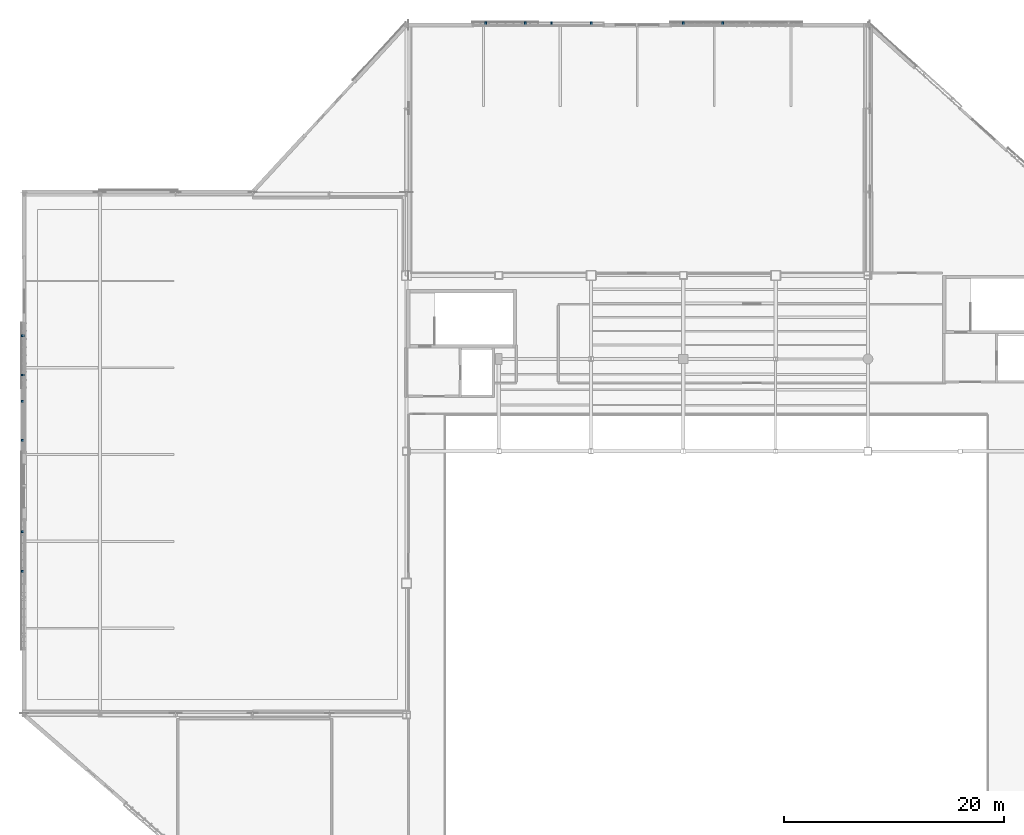
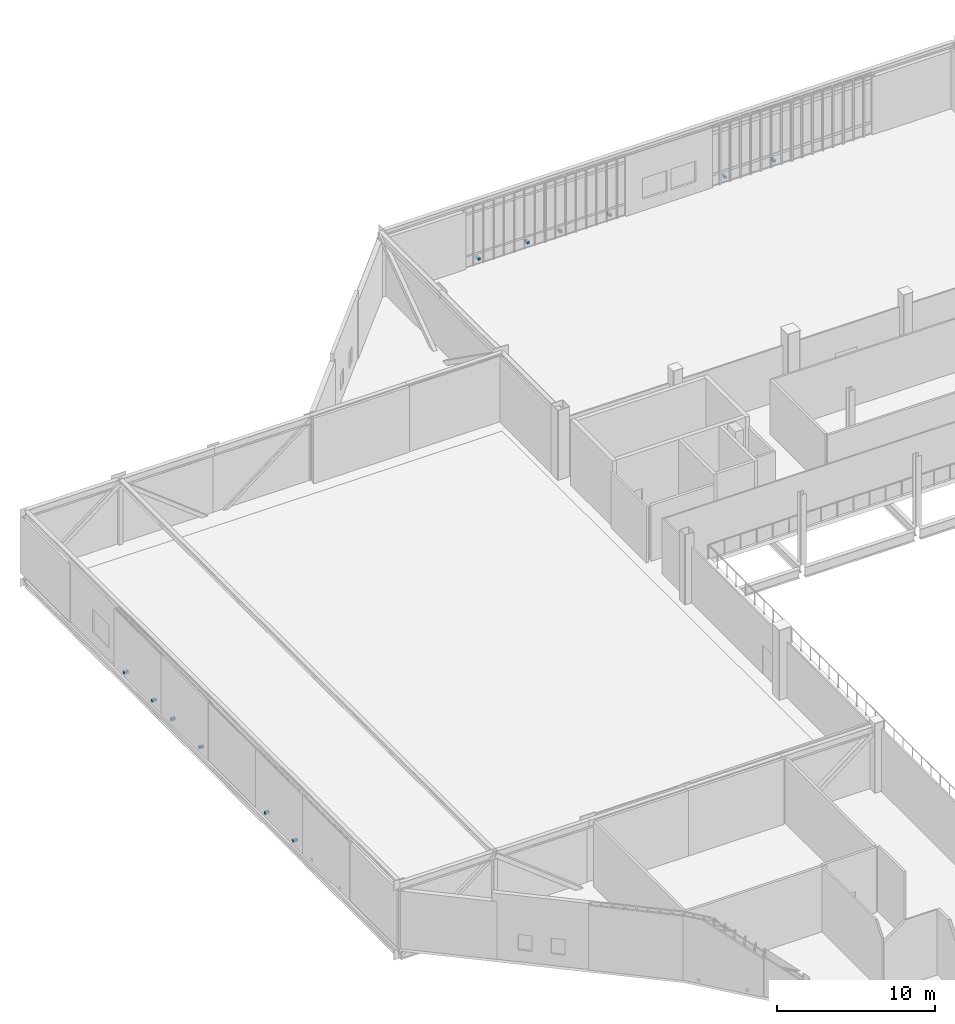
# One storey, part 125 of 135: 12 discrete accessories.
"""IFC4 building model written with IfcOpenShell, lengths in metres."""

import ifcopenshell
import ifcopenshell.guid

model = None  # the IFC model being written
_history = None  # IfcOwnerHistory: only IFC2X3 demands one
_inside = {}  # id of a spatial element -> (the spatial element, [elements in it])
_under = {}  # id of a project, library or spatial element -> (it, [spatial elements below it])
_declared = {}  # id of a project -> (the project, [libraries it declares])
_typed = {}  # id of a type object -> (the type object, [elements of that type])
_made_of = {}  # id of a material, layer set ... -> (it, [elements and type objects made of it])


def new_model(schema):
    """Start an empty IFC model of exactly this schema.

    Asked for "IFC4X3", IfcOpenShell would pick the latest addendum, in which some entities
    have other attributes; the version numbers below select the first issue.
    IFC2X3 requires an IfcOwnerHistory on every rooted entity: one is made here for all.
    """
    global model, _history
    if schema == "IFC4X3":
        model = ifcopenshell.file(schema_version=(4, 3, 0, 0))
    else:
        model = ifcopenshell.file(schema=schema)
    _inside.clear()
    _under.clear()
    _declared.clear()
    _typed.clear()
    _made_of.clear()
    _history = None
    if model.schema == "IFC2X3":
        org = make("IfcOrganization", Name="unknown")
        user = make(
            "IfcPersonAndOrganization",
            ThePerson=make("IfcPerson", FamilyName="unknown"),
            TheOrganization=org,
        )
        app = make(
            "IfcApplication",
            ApplicationDeveloper=org,
            Version="unknown",
            ApplicationFullName="unknown",
            ApplicationIdentifier="unknown",
        )
        _history = make(
            "IfcOwnerHistory",
            OwningUser=user,
            OwningApplication=app,
            ChangeAction="ADDED",
            CreationDate=0,
        )
    return model


def make(cls, **values):
    """One entity of the class cls with the attributes given. An attribute that is None is left unset."""
    return model.create_entity(
        cls, **{name: value for name, value in values.items() if value is not None}
    )


def rooted(cls, **values):
    """An entity with a GlobalId (a new one), such as an element, a storey or a relation."""
    return make(cls, GlobalId=ifcopenshell.guid.new(), OwnerHistory=_history, **values)


def si_unit(unit_type, name, prefix=None):
    """IfcSIUnit, for example si_unit("LENGTHUNIT", "METRE", prefix="MILLI")."""
    return make("IfcSIUnit", UnitType=unit_type, Prefix=prefix, Name=name)


def assignment(units):
    """IfcUnitAssignment: the units of a project."""
    return None if units is None else make("IfcUnitAssignment", Units=units)


def point(xyz):
    """IfcCartesianPoint."""
    return None if xyz is None else make("IfcCartesianPoint", Coordinates=xyz)


def direction(xyz):
    """IfcDirection."""
    return None if xyz is None else make("IfcDirection", DirectionRatios=xyz)


def frame(location, z_axis=None, x_axis=None):
    """IfcAxis2Placement3D, a coordinate frame: its origin and axes. An axis left out is left unset."""
    return make(
        "IfcAxis2Placement3D",
        Location=point(location),
        Axis=direction(z_axis),
        RefDirection=direction(x_axis),
    )


def frame_2d(location, x_axis=None):
    """IfcAxis2Placement2D, a coordinate frame in the plane: its origin and x axis."""
    return make(
        "IfcAxis2Placement2D", Location=point(location), RefDirection=direction(x_axis)
    )


def origin():
    """The frame at (0, 0, 0) with its axes left unset."""
    return frame((0.0, 0.0, 0.0))


def origin_2d():
    """The frame at (0, 0) in the plane with its x axis left unset."""
    return frame_2d((0.0, 0.0))


def place(relative_to, where):
    """IfcLocalPlacement: puts the frame where relative to a parent placement (None: the world)."""
    return make(
        "IfcLocalPlacement", PlacementRelTo=relative_to, RelativePlacement=where
    )


def context(
    kind, dimensions, precision=None, world=None, true_north=None, identifier=None
):
    """IfcGeometricRepresentationContext, for example the 3D "Model" context."""
    return make(
        "IfcGeometricRepresentationContext",
        ContextIdentifier=identifier,
        ContextType=kind,
        CoordinateSpaceDimension=dimensions,
        Precision=precision,
        WorldCoordinateSystem=world,
        TrueNorth=true_north,
    )


def subcontext(parent, identifier, kind, view, scale=None):
    """IfcGeometricRepresentationSubContext, for example "Body" below "Model"."""
    return make(
        "IfcGeometricRepresentationSubContext",
        ContextIdentifier=identifier,
        ContextType=kind,
        ParentContext=parent,
        TargetScale=scale,
        TargetView=view,
    )


def project(units=None, contexts=None):
    """IfcProject with its units and contexts."""
    return rooted(
        "IfcProject",
        Name="project",
        RepresentationContexts=contexts,
        UnitsInContext=assignment(units),
    )


def spatial(cls, under=None, at=None, **own):
    """A site, building, storey or space (cls), placed at a placement, below another one or the project."""
    s = rooted(cls, ObjectPlacement=at, **own)
    if under is not None:
        _under.setdefault(under.id(), (under, []))[1].append(s)
    return s


def profile(cls, at=None, kind="AREA", **sizes):
    """A parametric profile (cls). Its sizes go by their IFC names, for example OverallWidth=200.0."""
    return make(cls, ProfileType=kind, Position=at, **sizes)


def rectangle(**sizes):
    """IfcRectangleProfileDef."""
    return profile("IfcRectangleProfileDef", **sizes)


def extrude(swept, where, along, depth):
    """IfcExtrudedAreaSolid: the profile swept, set in the frame where, extruded along a direction by depth."""
    return make(
        "IfcExtrudedAreaSolid",
        SweptArea=swept,
        Position=where,
        ExtrudedDirection=direction(along),
        Depth=depth,
    )


def shape(context_of_items, identifier, shape_type, items):
    """IfcShapeRepresentation: the items that make up one representation, for example the "Body"."""
    return make(
        "IfcShapeRepresentation",
        ContextOfItems=context_of_items,
        RepresentationIdentifier=identifier,
        RepresentationType=shape_type,
        Items=items,
    )


def material(Name=None, Category=None):
    """IfcMaterial."""
    return make("IfcMaterial", Name=Name, Category=Category)


def layer(
    of_material, thickness, ventilated=None, Name=None, Category=None, Priority=None
):
    """IfcMaterialLayer: one layer of a wall or slab, of a material (None: an air gap)."""
    return make(
        "IfcMaterialLayer",
        Material=of_material,
        LayerThickness=thickness,
        IsVentilated=ventilated,
        Name=Name,
        Category=Category,
        Priority=Priority,
    )


def layer_set(layers, Name=None):
    """IfcMaterialLayerSet."""
    return make("IfcMaterialLayerSet", MaterialLayers=layers, LayerSetName=Name)


def made_of(thing, what):
    """Note that an element or type object is made of a material, layer set ...; save() writes the relation."""
    if what is not None:
        _made_of.setdefault(what.id(), (what, []))[1].append(thing)
    return thing


def type_object(cls, material=None, **own):
    """A type object (cls), such as IfcWallType, which elements share."""
    return made_of(rooted(cls, **own), material)


def element(
    cls,
    number,
    at=None,
    inside=None,
    cuts=None,
    type_object=None,
    material=None,
    context=None,
    identifier="Body",
    shape_type=None,
    held_by="IfcProductDefinitionShape",
    body=None,
    shapes=None,
    **own,
):
    """One element of the class cls, such as IfcWall. Its Tag is "e" and its number.

    at: its placement. inside: the storey or other place that contains it. cuts: it is an
    opening in that element (IfcRelVoidsElement). A single representation is given by context,
    identifier, shape_type and body (its items); several are given by shapes. held_by: the class
    of the entity that holds the representations. save() writes the other relations.
    """
    e = rooted(cls, Tag="e%d" % number, ObjectPlacement=at, **own)
    if body is not None:
        shapes = [shape(context, identifier, shape_type, body)]
    if shapes is not None:
        e.Representation = make(held_by, Representations=shapes)
    if inside is not None:
        _inside.setdefault(inside.id(), (inside, []))[1].append(e)
    if cuts is not None:
        rooted(
            "IfcRelVoidsElement", RelatingBuildingElement=cuts, RelatedOpeningElement=e
        )
    if type_object is not None:
        _typed.setdefault(type_object.id(), (type_object, []))[1].append(e)
    return made_of(e, material)


def aggregate(whole, parts):
    """IfcRelAggregates: a whole, such as a stair, and the parts it consists of."""
    return rooted("IfcRelAggregates", RelatingObject=whole, RelatedObjects=parts)


def save(model, path):
    """Write the relations noted so far, then the file.

    IfcRelAggregates (storeys below a building ...), IfcRelContainedInSpatialStructure (elements
    in a storey), IfcRelDefinesByType, IfcRelAssociatesMaterial and IfcRelDeclares: one each for
    every whole, place, type object, material and project.
    """
    for whole, parts in _under.values():
        aggregate(whole, parts)
    for where, things in _inside.values():
        rooted(
            "IfcRelContainedInSpatialStructure",
            RelatedElements=things,
            RelatingStructure=where,
        )
    for kind, things in _typed.values():
        rooted("IfcRelDefinesByType", RelatedObjects=things, RelatingType=kind)
    for what, things in _made_of.values():
        rooted("IfcRelAssociatesMaterial", RelatedObjects=things, RelatingMaterial=what)
    for by, libraries in _declared.values():
        rooted("IfcRelDeclares", RelatingContext=by, RelatedDefinitions=libraries)
    model.write(path)


model = new_model("IFC4")

# Units and contexts
model_context = context("Model", 3, precision=1e-05, world=origin(), true_north=direction((0.0, 1.0)))
body_context = subcontext(model_context, "Body", "Model", "MODEL_VIEW")
ifc_project = project(units=[si_unit("LENGTHUNIT", "METRE"), si_unit("AREAUNIT", "SQUARE_METRE"), si_unit("VOLUMEUNIT", "CUBIC_METRE"), si_unit("PLANEANGLEUNIT", "RADIAN"), si_unit("MASSUNIT", "GRAM", prefix="KILO")], contexts=[model_context])

# Site, building, storey
site_placement = place(None, origin())
site = spatial("IfcSite", under=ifc_project, at=site_placement, CompositionType="ELEMENT")
building_placement = place(site_placement, origin())
building = spatial("IfcBuilding", under=site, at=building_placement, Name="Larkvane Passage Sports Hall", CompositionType="ELEMENT")
storey_placement = place(building_placement, frame((0.0, 0.0, 16.800048828125)))
storey = spatial("IfcBuildingStorey", under=building, at=storey_placement, Name="L03", CompositionType="ELEMENT", Elevation=16.800048828125)

# Discrete accessories
ifc_material = material(Name="Steel S355JR", Category="steel")
ifc_layer = layer(ifc_material, 0.179931640625)
ifc_layer_set = layer_set([ifc_layer], Name="Steel S355JR")
discrete_accessory_type = type_object("IfcDiscreteAccessoryType", Name="ACC-BRACKET-STL", PredefinedType="BRACKET", material=ifc_layer_set)
for number, where, z_axis, x_axis, name in (
    (1, (-0.1201171875, 64.68994140625, 0.259765625), (0.0, 0.0, 1.0), (0.0, 1.0, 0.0), "Veil outrigger bracket L03-095-1"),
    (2, (-0.1201171875, 68.260009765625, 0.259765625), (0.0, 0.0, 1.0), (0.0, 1.0, 0.0), "Veil outrigger bracket L03-095-2"),
    (3, (-0.1201171875, 76.590087890625, 0.259765625), (0.0, 0.0, 1.0), (0.0, 1.0, 0.0), "Veil outrigger bracket L03-096-1"),
    (4, (-0.1201171875, 80.159912109375, 0.259765625), (0.0, 0.0, 1.0), (0.0, 1.0, 0.0), "Veil outrigger bracket L03-096-2"),
    (5, (-0.1201171875, 82.5400390625, 0.259765625), (0.0, 0.0, 1.0), (0.0, 1.0, 0.0), "Veil outrigger bracket L03-097-1"),
    (6, (-0.1201171875, 86.110107421875, 0.259765625), (0.0, 0.0, 1.0), (0.0, 1.0, 0.0), "Veil outrigger bracket L03-097-2"),
    (7, (42.0, 114.52001953125, 0.259765625), (0.0, 0.0, 1.0), (1.0, 0.0, 0.0), "Veil outrigger bracket L03-098-1"),
    (8, (45.60009765625, 114.52001953125, 0.259765625), (0.0, 0.0, 1.0), (1.0, 0.0, 0.0), "Veil outrigger bracket L03-098-2"),
    (9, (48.0, 114.52001953125, 0.259765625), (0.0, 0.0, 1.0), (1.0, 0.0, 0.0), "Veil outrigger bracket L03-099-1"),
    (10, (51.60009765625, 114.52001953125, 0.259765625), (0.0, 0.0, 1.0), (1.0, 0.0, 0.0), "Veil outrigger bracket L03-099-2"),
    (11, (60.0, 114.52001953125, 0.259765625), (0.0, 0.0, 1.0), (1.0, 0.0, 0.0), "Veil outrigger bracket L03-100-1"),
    (12, (63.60009765625, 114.52001953125, 0.259765625), (0.0, 0.0, 1.0), (1.0, 0.0, 0.0), "Veil outrigger bracket L03-100-2"),
):
    element("IfcDiscreteAccessory", number, at=place(storey_placement, frame(where, z_axis=z_axis, x_axis=x_axis)), inside=storey, type_object=discrete_accessory_type, Name=name, PredefinedType="BRACKET", context=body_context, shape_type="SweptSolid", body=[
        extrude(rectangle(XDim=0.179931640625, YDim=0.320068359375, at=origin_2d()), origin(), (0.0, 0.0, 1.0), 0.179931640625),
    ])

save(model, "model.ifc")
